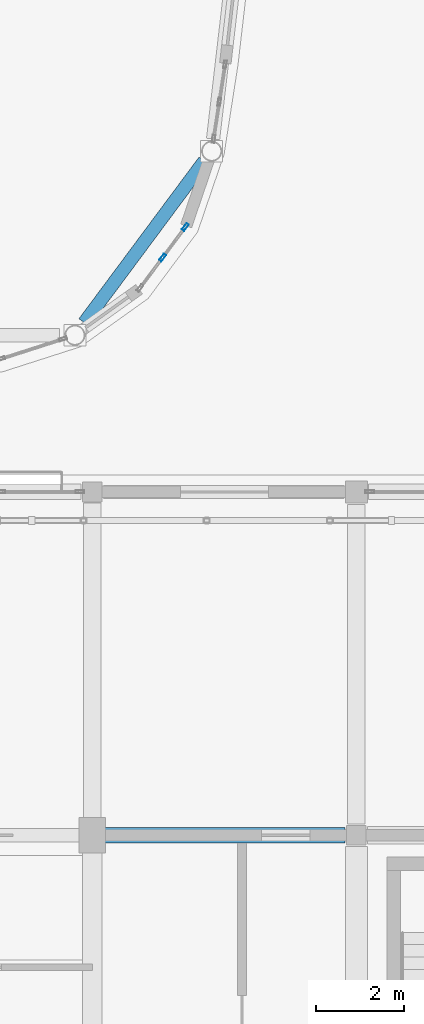
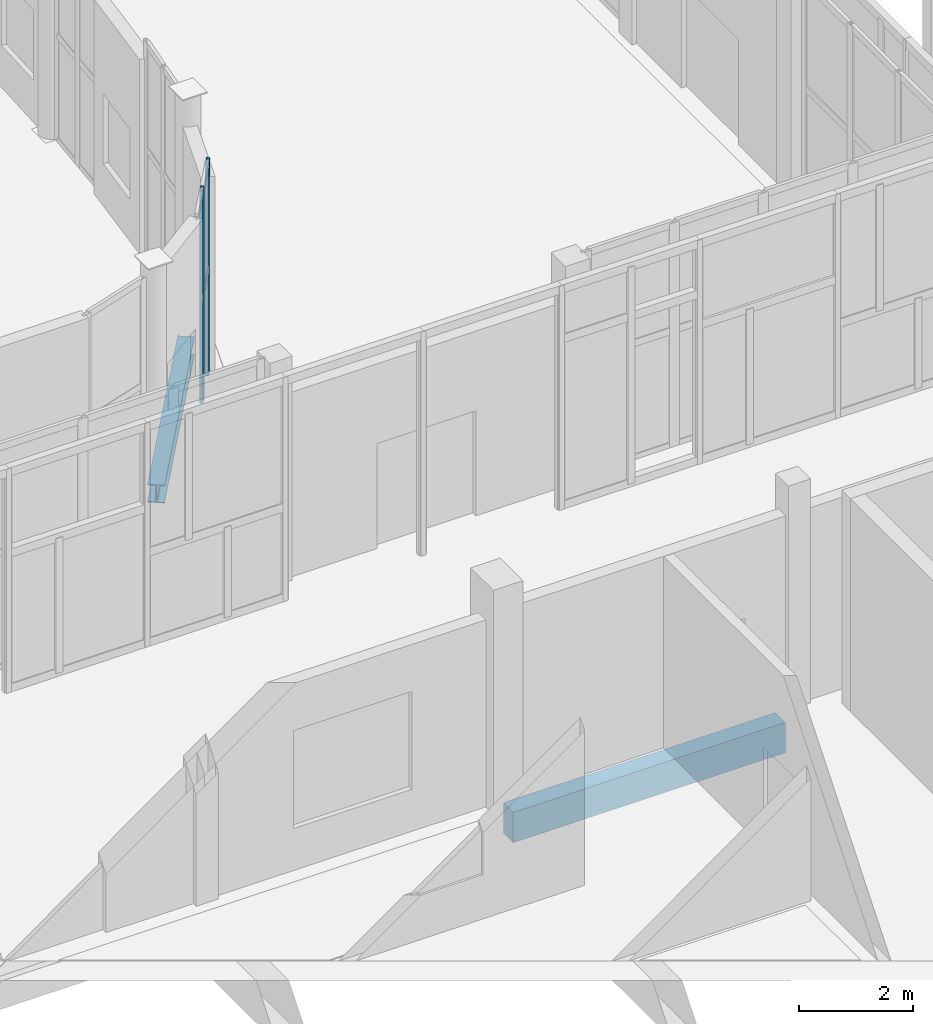
# One storey, part 29 of 91: 2 beams, 2 members, 1 element without a shape of its own.
"""IFC4 building model written with IfcOpenShell, lengths in metres."""

from ifc_helpers import new_model, si_unit, direction, frame, origin, origin_2d, place, context, subcontext, project, spatial, rectangle, hollow_rectangle, i_section, extrude, material, layer, layer_set, material_profile, profile_set, type_object, element, aggregate, save


model = new_model("IFC4")

# Units and contexts
model_context = context("Model", 3, precision=1e-05, world=origin(), true_north=direction((0.0, 1.0)))
body_context = subcontext(model_context, "Body", "Model", "MODEL_VIEW")
ifc_project = project(units=[si_unit("LENGTHUNIT", "METRE"), si_unit("AREAUNIT", "SQUARE_METRE"), si_unit("VOLUMEUNIT", "CUBIC_METRE"), si_unit("PLANEANGLEUNIT", "RADIAN"), si_unit("MASSUNIT", "GRAM", prefix="KILO")], contexts=[model_context])

# Site, building, storey
site_placement = place(None, origin())
site = spatial("IfcSite", under=ifc_project, at=site_placement, CompositionType="ELEMENT")
building_placement = place(site_placement, origin())
building = spatial("IfcBuilding", under=site, at=building_placement, Name="Vinh Khe Railworks Police Headquarters", CompositionType="ELEMENT")
storey_placement = place(building_placement, origin())
storey = spatial("IfcBuildingStorey", under=building, at=storey_placement, Name="L00", CompositionType="ELEMENT", Elevation=0.0)

# Curtain wall, members
ifc_material_1 = material(Name="Anodised aluminium and acoustic laminated glass", Category="aluminium")
ifc_layer = layer(ifc_material_1, 0.159912109375)
ifc_layer_set = layer_set([ifc_layer], Name="Anodised aluminium and acoustic laminated glass")
curtain_wall_type = type_object("IfcCurtainWallType", Name="CW-DRUM-CHORD", PredefinedType="USERDEFINED", material=ifc_layer_set)
curtain_wall_placement = place(storey_placement, origin())
curtain_wall = element("IfcCurtainWall", 1, at=curtain_wall_placement, inside=storey, type_object=curtain_wall_type, Name="Elliptical Command Drum Glazing L00 Chord 35", ObjectType="DRUM FACADE GLAZING", PredefinedType="USERDEFINED")
ifc_material_2 = material(Name="Anodised aluminium 6063-T6", Category="aluminium")
ifc_material_profile_1 = material_profile(ifc_material_2, hollow_rectangle(XDim=0.06494140625, YDim=0.179931640625, WallThickness=0.0048828125, at=origin_2d()), Name="CW-M 65x180x5")
ifc_profile_set_1 = profile_set([ifc_material_profile_1], Name="Anodised aluminium 6063-T6")
member_type = type_object("IfcMemberType", Name="MULL-CWM-02", PredefinedType="MULLION", material=ifc_profile_set_1)
member_1_placement = place(storey_placement, frame((47.799072265625, 30.5263671875, 0.0), z_axis=(0.0, 0.0, 1.0), x_axis=(-0.802591949394, 0.596528425784, 0.0)))
member_1 = element("IfcMember", 2, at=member_1_placement, type_object=member_type, Name="CW-02 mullion 2", PredefinedType="MULLION", context=body_context, shape_type="SweptSolid", body=[
    extrude(hollow_rectangle(XDim=0.06494140625, YDim=0.179931640625, WallThickness=0.0048828125, at=origin_2d()), origin(), (0.0, 0.0, 1.0), 4.550048828125),
])
member_2_placement = place(storey_placement, frame((48.314697265625, 31.22021484375, 0.0), z_axis=(0.0, 0.0, 1.0), x_axis=(-0.802591949394, 0.596528425784, 0.0)))
member_2 = element("IfcMember", 3, at=member_2_placement, type_object=member_type, Name="CW-02 mullion 3", PredefinedType="MULLION", context=body_context, shape_type="SweptSolid", body=[
    extrude(hollow_rectangle(XDim=0.06494140625, YDim=0.179931640625, WallThickness=0.0048828125, at=origin_2d()), origin(), (0.0, 0.0, 1.0), 4.550048828125),
])
aggregate(curtain_wall, [member_1, member_2])

# Beams
ifc_material_3 = material(Name="Concrete C35/45 (B35)", Category="concrete")
ifc_material_profile_2 = material_profile(ifc_material_3, rectangle(XDim=0.35009765625, YDim=0.64990234375, at=origin_2d()), Name="RC 350x650")
ifc_profile_set_2 = profile_set([ifc_material_profile_2], Name="Concrete C35/45 (B35)")
beam_type_1 = type_object("IfcBeamType", Name="RC Girder RC 350x650", PredefinedType="BEAM", material=ifc_profile_set_2)
beam_1_placement = place(storey_placement, frame((46.429931640625, 17.39990234375, -0.60498046875), z_axis=(1.0, 0.0, 0.0), x_axis=(0.0, 1.0, 0.0)))
element("IfcBeam", 4, at=beam_1_placement, inside=storey, type_object=beam_type_1, Name="Girder BM-L00-EW-RB-08-0028", PredefinedType="BEAM", context=body_context, shape_type="SweptSolid", body=[
    extrude(rectangle(XDim=0.35009765625, YDim=0.64990234375, at=origin_2d()), origin(), (0.0, 0.0, 1.0), 5.51513671875),
])
ifc_material_4 = material(Name="Steel S355JR", Category="steel")
ifc_material_profile_3 = material_profile(ifc_material_4, i_section(OverallWidth=0.300048828125, OverallDepth=0.389892578125, WebThickness=0.010986328125, FlangeThickness=0.01904296875, FilletRadius=0.027099609375, at=origin_2d()), Name="HEA 400")
ifc_profile_set_3 = profile_set([ifc_material_profile_3], Name="Steel S355JR")
beam_type_2 = type_object("IfcBeamType", Name="Steel Girder HEA 400", PredefinedType="BEAM", material=ifc_profile_set_3)
beam_2_placement = place(storey_placement, frame((46.016845703125, 29.04736328125, -0.47509765625), z_axis=(0.59651948992, 0.802598590919, 0.0), x_axis=(-0.802598590919, 0.59651948992, 0.0)))
element("IfcBeam", 5, at=beam_2_placement, inside=storey, type_object=beam_type_2, Name="Drum Ring Girder BM-L00-DRUM-SB-14-0394", PredefinedType="BEAM", context=body_context, shape_type="SweptSolid", body=[
    extrude(i_section(OverallWidth=0.300048828125, OverallDepth=0.389892578125, WebThickness=0.010986328125, FlangeThickness=0.01904296875, FilletRadius=0.027099609375, at=origin_2d()), origin(), (0.0, 0.0, 1.0), 4.5751953125),
])

save(model, "model.ifc")
